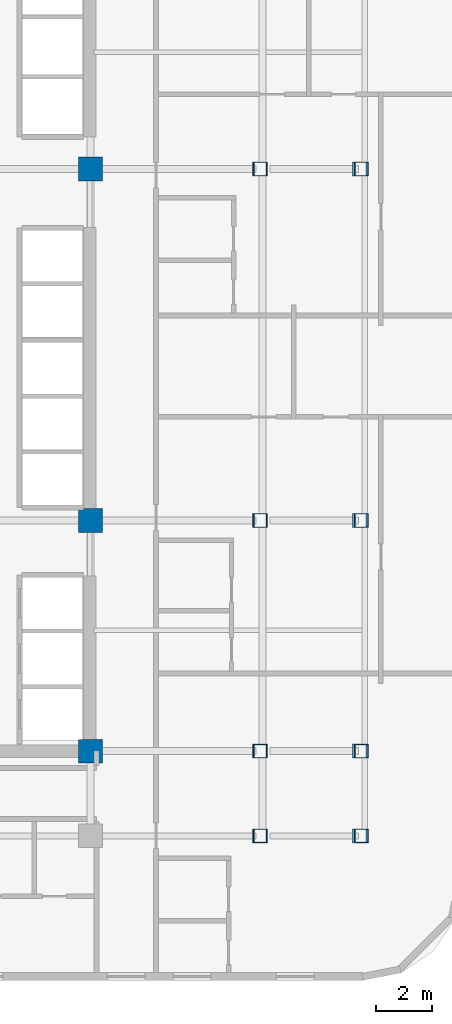
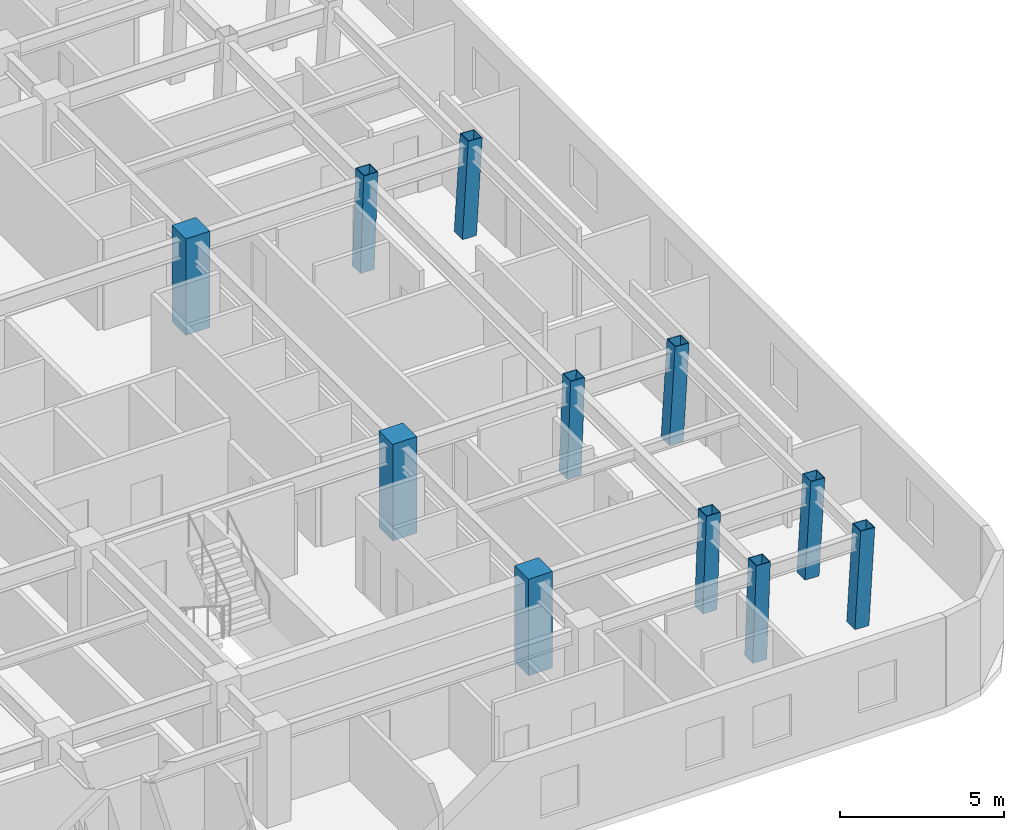
# One storey, part 2 of 12: 11 columns.
"""IFC4 building model written with IfcOpenShell, lengths in metres."""

from ifc_helpers import new_model, si_unit, direction, frame, origin, origin_2d, place, context, subcontext, project, spatial, rectangle, hollow_rectangle, extrude, material, material_profile, profile_set, type_object, element, save


model = new_model("IFC4")

# Units and contexts
model_context = context("Model", 3, precision=1e-05, world=origin(), true_north=direction((0.0, 1.0)))
body_context = subcontext(model_context, "Body", "Model", "MODEL_VIEW")
ifc_project = project(units=[si_unit("LENGTHUNIT", "METRE"), si_unit("AREAUNIT", "SQUARE_METRE"), si_unit("VOLUMEUNIT", "CUBIC_METRE"), si_unit("PLANEANGLEUNIT", "RADIAN"), si_unit("MASSUNIT", "GRAM", prefix="KILO")], contexts=[model_context])

# Site, building, storey
site_placement = place(None, origin())
site = spatial("IfcSite", under=ifc_project, at=site_placement, CompositionType="ELEMENT")
building_placement = place(site_placement, origin())
building = spatial("IfcBuilding", under=site, at=building_placement, Name="Ochreholt Gables", CompositionType="ELEMENT")
storey_placement = place(building_placement, frame((0.0, 0.0, 38.39990234375)))
storey = spatial("IfcBuildingStorey", under=building, at=storey_placement, Name="L09", CompositionType="ELEMENT", Elevation=38.39990234375)

# Columns
ifc_material_1 = material(Name="Steel CSA G40.21 350W", Category="steel")
ifc_material_profile_1 = material_profile(ifc_material_1, hollow_rectangle(XDim=0.5, YDim=0.5, WallThickness=0.02197265625, at=origin_2d()), Name="HSS500X500X22")
ifc_profile_set_1 = profile_set([ifc_material_profile_1], Name="Steel CSA G40.21 350W")
column_type_1 = type_object("IfcColumnType", Name="COL-HSS500-RAK", PredefinedType="COLUMN", material=ifc_profile_set_1)
for number, where, z_axis, x_axis, name in (
    (1, (41.280029296875, 9.25, 0.0), (0.034971136209, 0.0, 0.999388322742), (0.0, 1.0, 0.0), "L09 Column EMY2"),
    (2, (41.280029296875, 17.550048828125, 0.0), (0.034971136209, 0.0, 0.999388322742), (0.0, 1.0, 0.0), "L09 Column EMY3"),
    (3, (41.280029296875, 30.199951171875, 0.0), (0.034971136209, 0.0, 0.999388322742), (0.0, 1.0, 0.0), "L09 Column EMY4"),
):
    element("IfcColumn", number, at=place(storey_placement, frame(where, z_axis=z_axis, x_axis=x_axis)), inside=storey, type_object=column_type_1, Name=name, PredefinedType="COLUMN", context=body_context, shape_type="SweptSolid", body=[
        extrude(hollow_rectangle(XDim=0.5, YDim=0.5, WallThickness=0.02197265625, at=origin_2d()), origin(), (0.0, 0.0, 1.0), 3.602294921875),
    ])
ifc_material_profile_2 = material_profile(ifc_material_1, hollow_rectangle(XDim=0.5, YDim=0.5, WallThickness=0.02197265625, at=origin_2d()), Name="HSS500X500X22")
ifc_profile_set_2 = profile_set([ifc_material_profile_2], Name="Steel CSA G40.21 350W")
column_type_2 = type_object("IfcColumnType", Name="COL-HSS500-RAKE", PredefinedType="COLUMN", material=ifc_profile_set_2)
column_placement = place(storey_placement, frame((41.280029296875, 6.199951171875, 0.0), z_axis=(0.034971136209, 0.0, 0.999388322742), x_axis=(0.0, 1.0, 0.0)))
element("IfcColumn", 4, at=column_placement, inside=storey, type_object=column_type_2, Name="L09 Column EMY1", PredefinedType="COLUMN", context=body_context, shape_type="SweptSolid", body=[
    extrude(hollow_rectangle(XDim=0.5, YDim=0.5, WallThickness=0.02197265625, at=origin_2d()), origin(), (0.0, 0.0, 1.0), 3.602294921875),
])
for number, where, z_axis, x_axis, name in (
    (5, (44.884033203125, 6.199951171875, 0.0), (0.057884606321, 0.0, 0.998323280481), (0.0, 1.0, 0.0), "L09 Column EEY1"),
    (6, (44.884033203125, 9.25, 0.0), (0.057884606321, 0.0, 0.998323280481), (0.0, 1.0, 0.0), "L09 Column EEY2"),
    (7, (44.884033203125, 17.550048828125, 0.0), (0.057884606321, 0.0, 0.998323280481), (0.0, 1.0, 0.0), "L09 Column EEY3"),
    (8, (44.884033203125, 30.199951171875, 0.0), (0.057884606321, 0.0, 0.998323280481), (0.0, 1.0, 0.0), "L09 Column EEY4"),
):
    element("IfcColumn", number, at=place(storey_placement, frame(where, z_axis=z_axis, x_axis=x_axis)), inside=storey, type_object=column_type_2, Name=name, PredefinedType="COLUMN", context=body_context, shape_type="SweptSolid", body=[
        extrude(hollow_rectangle(XDim=0.5, YDim=0.5, WallThickness=0.02197265625, at=origin_2d()), origin(), (0.0, 0.0, 1.0), 3.606201171875),
    ])
ifc_material_2 = material(Name="Concrete 60 MPa", Category="concrete")
ifc_material_profile_3 = material_profile(ifc_material_2, rectangle(XDim=0.85009765625, YDim=0.85009765625, at=origin_2d()), Name="RC850X850")
ifc_profile_set_3 = profile_set([ifc_material_profile_3], Name="Concrete 60 MPa")
column_type_3 = type_object("IfcColumnType", Name="COL-RC850-INT", PredefinedType="COLUMN", material=ifc_profile_set_3)
for number, where, z_axis, x_axis, name in (
    (9, (35.199951171875, 9.25, 0.0), (0.0, 0.0, 1.0), (1.0, 0.0, 0.0), "L09 Column C2Y2"),
    (10, (35.199951171875, 17.550048828125, 0.0), (0.0, 0.0, 1.0), (1.0, 0.0, 0.0), "L09 Column C2Y3"),
    (11, (35.199951171875, 30.199951171875, 0.0), (0.0, 0.0, 1.0), (1.0, 0.0, 0.0), "L09 Column C2Y4"),
):
    element("IfcColumn", number, at=place(storey_placement, frame(where, z_axis=z_axis, x_axis=x_axis)), inside=storey, type_object=column_type_3, Name=name, PredefinedType="COLUMN", context=body_context, shape_type="SweptSolid", body=[
        extrude(rectangle(XDim=0.85009765625, YDim=0.85009765625, at=origin_2d()), origin(), (0.0, 0.0, 1.0), 3.60009765625),
    ])

save(model, "model.ifc")
